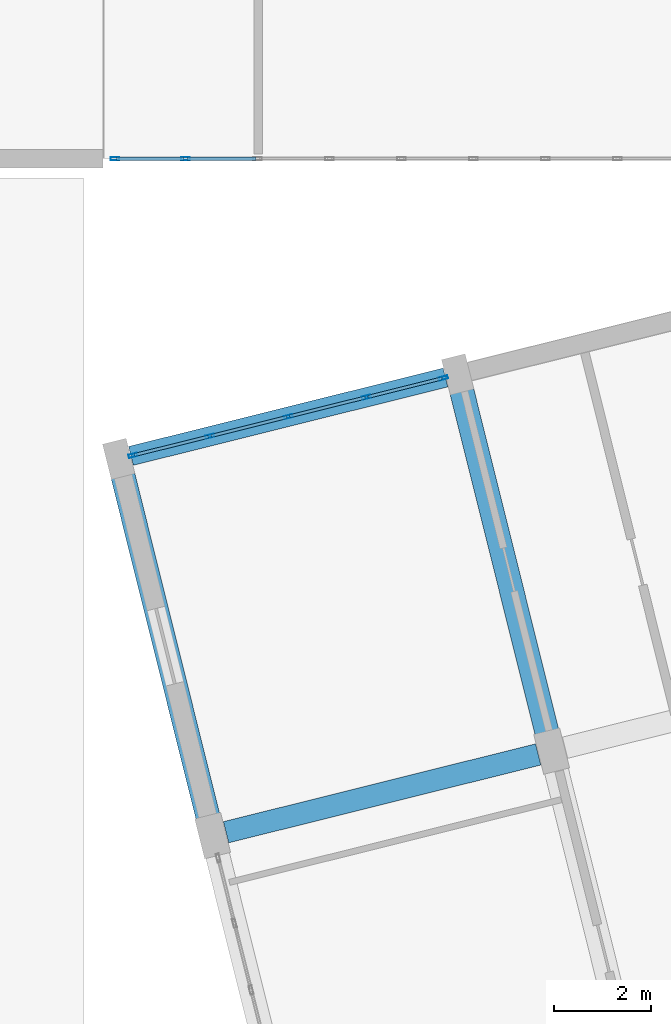
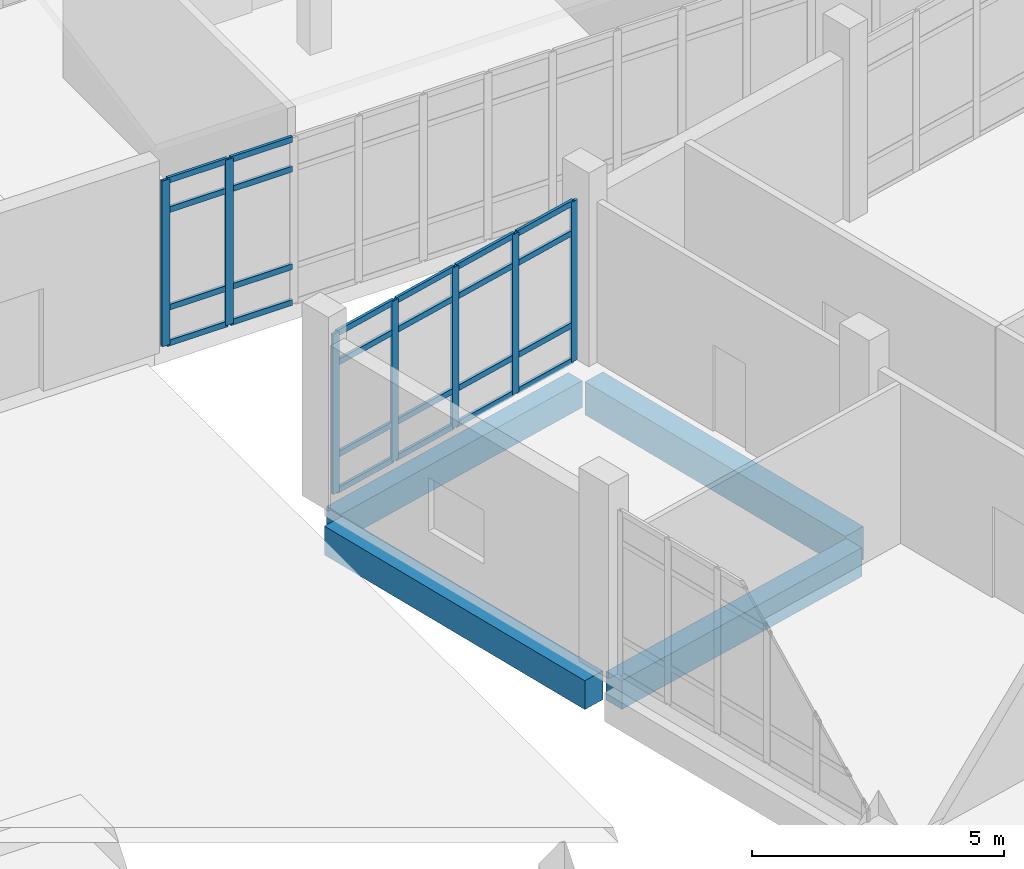
# One storey, part 52 of 173: 31 members, 4 beams, 2 elements without a shape of their own.
"""IFC4 building model written with IfcOpenShell, lengths in metres."""

from ifc_helpers import new_model, si_unit, direction, frame, origin, origin_2d, place, context, subcontext, project, spatial, rectangle, hollow_rectangle, extrude, material, layer, layer_set, material_profile, profile_set, type_object, element, aggregate, save


model = new_model("IFC4")

# Units and contexts
model_context = context("Model", 3, precision=1e-05, world=origin(), true_north=direction((0.0, 1.0)))
body_context = subcontext(model_context, "Body", "Model", "MODEL_VIEW")
ifc_project = project(units=[si_unit("LENGTHUNIT", "METRE"), si_unit("AREAUNIT", "SQUARE_METRE"), si_unit("VOLUMEUNIT", "CUBIC_METRE"), si_unit("PLANEANGLEUNIT", "RADIAN"), si_unit("MASSUNIT", "GRAM", prefix="KILO")], contexts=[model_context])

# Site, building, storey
site_placement = place(None, origin())
site = spatial("IfcSite", under=ifc_project, at=site_placement, CompositionType="ELEMENT")
building_placement = place(site_placement, origin())
building = spatial("IfcBuilding", under=site, at=building_placement, Name="Mawjan Specialist Oncology Clinic", CompositionType="ELEMENT")
storey_placement = place(building_placement, origin())
storey = spatial("IfcBuildingStorey", under=building, at=storey_placement, Name="L00", CompositionType="ELEMENT", Elevation=0.0)

# Beams
ifc_material_1 = material(Name="Concrete C40/50", Category="concrete")
ifc_material_profile_1 = material_profile(ifc_material_1, rectangle(XDim=0.449951171875, YDim=0.699951171875, at=origin_2d()), Name="RC BM 450x700", Category="concrete")
ifc_profile_set_1 = profile_set([ifc_material_profile_1], Name="Concrete C40/50")
beam_type_1 = type_object("IfcBeamType", Name="BM-450x700", PredefinedType="BEAM", material=ifc_profile_set_1)
beam_1_placement = place(storey_placement, frame((118.534912109375, 31.91845703125, -0.77001953125), z_axis=(0.970293935913, 0.241929076241, 0.0), x_axis=(-0.241929076241, 0.970293935913, 0.0)))
element("IfcBeam", 1, at=beam_1_placement, inside=storey, type_object=beam_type_1, Name="L00 Collector Beam BM-L00-0211", PredefinedType="BEAM", context=body_context, shape_type="SweptSolid", body=[
    extrude(rectangle(XDim=0.449951171875, YDim=0.699951171875, at=origin_2d()), origin(), (0.0, 0.0, 1.0), 6.630126953125),
])
ifc_material_2 = material(Name="Concrete C45/55", Category="concrete")
ifc_material_profile_2 = material_profile(ifc_material_2, rectangle(XDim=0.5, YDim=0.800048828125, at=origin_2d()), Name="RC BM 500x800", Category="concrete")
ifc_profile_set_2 = profile_set([ifc_material_profile_2], Name="Concrete C45/55")
beam_type_2 = type_object("IfcBeamType", Name="BM-500x800", PredefinedType="BEAM", material=ifc_profile_set_2)
beam_2_placement = place(storey_placement, frame((125.17578125, 33.867919921875, -0.820068359375), z_axis=(-0.24194995085, 0.970288730886, 0.0), x_axis=(-0.970288730886, -0.24194995085, 0.0)))
element("IfcBeam", 2, at=beam_2_placement, inside=storey, type_object=beam_type_2, Name="L00 Collector Beam BM-L00-0220", PredefinedType="BEAM", context=body_context, shape_type="SweptSolid", body=[
    extrude(rectangle(XDim=0.5, YDim=0.800048828125, at=origin_2d()), origin(), (0.0, 0.0, 1.0), 7.454833984375),
])

# Curtain wall, members
ifc_material_3 = material(Name="Unitised spectrally selective aluminium curtain wall", Category="aluminium")
ifc_layer_1 = layer(ifc_material_3, 0.179931640625, Name="Unitised spectrally selective aluminium curtain wall", Category="aluminium")
ifc_layer_set_1 = layer_set([ifc_layer_1], Name="Unitised spectrally selective aluminium curtain wall")
curtain_wall_type_1 = type_object("IfcCurtainWallType", Name="CW-20", PredefinedType="NOTDEFINED", material=ifc_layer_set_1)
curtain_wall_1_placement = place(storey_placement, origin())
curtain_wall_1 = element("IfcCurtainWall", 3, at=curtain_wall_1_placement, inside=storey, type_object=curtain_wall_type_1, Name="L00 Unitised Curtain Wall CW-L00-036", PredefinedType="NOTDEFINED")
ifc_material_4 = material(Name="Thermally broken aluminium 6063-T6", Category="aluminium")
ifc_material_profile_3 = material_profile(ifc_material_4, hollow_rectangle(XDim=0.06494140625, YDim=0.179931640625, WallThickness=0.00390625, at=origin_2d()), Name="ALU MULLION 180x65x4", Category="aluminium")
ifc_profile_set_3 = profile_set([ifc_material_profile_3], Name="Thermally broken aluminium 6063-T6")
member_type_1 = type_object("IfcMemberType", Name="CW-M180", PredefinedType="MULLION", material=ifc_profile_set_3)
member_1_placement = place(storey_placement, frame((117.69921875, 45.800048828125, 0.0), z_axis=(0.0, 0.0, 1.0), x_axis=(0.0, -1.0, 0.0)))
member_1 = element("IfcMember", 4, at=member_1_placement, type_object=member_type_1, Name="CW-20 mullion 15", PredefinedType="MULLION", context=body_context, shape_type="SweptSolid", body=[
    extrude(hollow_rectangle(XDim=0.06494140625, YDim=0.179931640625, WallThickness=0.00390625, at=origin_2d()), origin(), (0.0, 0.0, 1.0), 4.01953125),
])
member_2_placement = place(storey_placement, frame((116.24755859375, 45.800048828125, 0.0), z_axis=(0.0, 0.0, 1.0), x_axis=(0.0, -1.0, 0.0)))
member_2 = element("IfcMember", 5, at=member_2_placement, type_object=member_type_1, Name="CW-20 mullion 16", PredefinedType="MULLION", context=body_context, shape_type="SweptSolid", body=[
    extrude(hollow_rectangle(XDim=0.06494140625, YDim=0.179931640625, WallThickness=0.00390625, at=origin_2d()), origin(), (0.0, 0.0, 1.0), 4.01953125),
])

ifc_material_5 = material(Name="Unitised spectrally selective aluminium curtain wall", Category="aluminium")
ifc_layer_2 = layer(ifc_material_5, 0.179931640625, Name="Unitised spectrally selective aluminium curtain wall", Category="aluminium")
ifc_layer_set_2 = layer_set([ifc_layer_2], Name="Unitised spectrally selective aluminium curtain wall")
curtain_wall_type_2 = type_object("IfcCurtainWallType", Name="CW-40", PredefinedType="NOTDEFINED", material=ifc_layer_set_2)
curtain_wall_2_placement = place(storey_placement, origin())
curtain_wall_2 = element("IfcCurtainWall", 6, at=curtain_wall_2_placement, inside=storey, type_object=curtain_wall_type_2, Name="L00 Unitised Curtain Wall CW-L00-081", PredefinedType="NOTDEFINED")
member_3_placement = place(storey_placement, frame((116.61669921875, 39.68505859375, 0.0), z_axis=(0.0, 0.0, 1.0), x_axis=(-0.241922080664, 0.970295680134, 0.0)))
member_3 = element("IfcMember", 7, at=member_3_placement, type_object=member_type_1, Name="CW-40 mullion 1", PredefinedType="MULLION", context=body_context, shape_type="SweptSolid", body=[
    extrude(hollow_rectangle(XDim=0.06494140625, YDim=0.179931640625, WallThickness=0.00390625, at=origin_2d()), origin(), (0.0, 0.0, 1.0), 3.885009765625),
])
member_4_placement = place(storey_placement, frame((118.20068359375, 40.079833984375, 0.0), z_axis=(0.0, 0.0, 1.0), x_axis=(-0.241922080664, 0.970295680134, 0.0)))
member_4 = element("IfcMember", 8, at=member_4_placement, type_object=member_type_1, Name="CW-40 mullion 2", PredefinedType="MULLION", context=body_context, shape_type="SweptSolid", body=[
    extrude(hollow_rectangle(XDim=0.06494140625, YDim=0.179931640625, WallThickness=0.00390625, at=origin_2d()), origin(), (0.0, 0.0, 1.0), 3.885009765625),
])
member_5_placement = place(storey_placement, frame((119.816162109375, 40.482666015625, 0.0), z_axis=(0.0, 0.0, 1.0), x_axis=(-0.241922080664, 0.970295680134, 0.0)))
member_5 = element("IfcMember", 9, at=member_5_placement, type_object=member_type_1, Name="CW-40 mullion 3", PredefinedType="MULLION", context=body_context, shape_type="SweptSolid", body=[
    extrude(hollow_rectangle(XDim=0.06494140625, YDim=0.179931640625, WallThickness=0.00390625, at=origin_2d()), origin(), (0.0, 0.0, 1.0), 3.885009765625),
])
member_6_placement = place(storey_placement, frame((121.431640625, 40.885498046875, 0.0), z_axis=(0.0, 0.0, 1.0), x_axis=(-0.241922080664, 0.970295680134, 0.0)))
member_6 = element("IfcMember", 10, at=member_6_placement, type_object=member_type_1, Name="CW-40 mullion 4", PredefinedType="MULLION", context=body_context, shape_type="SweptSolid", body=[
    extrude(hollow_rectangle(XDim=0.06494140625, YDim=0.179931640625, WallThickness=0.00390625, at=origin_2d()), origin(), (0.0, 0.0, 1.0), 3.885009765625),
])
member_7_placement = place(storey_placement, frame((123.015625, 41.280517578125, 0.0), z_axis=(0.0, 0.0, 1.0), x_axis=(-0.241922080664, 0.970295680134, 0.0)))
member_7 = element("IfcMember", 11, at=member_7_placement, type_object=member_type_1, Name="CW-40 mullion 5", PredefinedType="MULLION", context=body_context, shape_type="SweptSolid", body=[
    extrude(hollow_rectangle(XDim=0.06494140625, YDim=0.179931640625, WallThickness=0.00390625, at=origin_2d()), origin(), (0.0, 0.0, 1.0), 3.885009765625),
])

# Member
ifc_material_6 = material(Name="Thermally broken aluminium 6063-T6", Category="aluminium")
ifc_material_profile_4 = material_profile(ifc_material_6, hollow_rectangle(XDim=0.06494140625, YDim=0.139892578125, WallThickness=0.00390625, at=origin_2d()), Name="ALU TRANSOM 140x65x4", Category="aluminium")
ifc_profile_set_4 = profile_set([ifc_material_profile_4], Name="Thermally broken aluminium 6063-T6")
member_type_2 = type_object("IfcMemberType", Name="CW-T140", PredefinedType="USERDEFINED", material=ifc_profile_set_4)
member_8_placement = place(storey_placement, frame((119.151123046875, 45.800048828125, 0.032470703125), z_axis=(-1.0, 0.0, 0.0), x_axis=(0.0, -1.0, 0.0)))
member_8 = element("IfcMember", 12, at=member_8_placement, type_object=member_type_2, Name="CW-20 transom 14.1", ObjectType="TRANSOM", PredefinedType="USERDEFINED", context=body_context, shape_type="SweptSolid", body=[
    extrude(hollow_rectangle(XDim=0.06494140625, YDim=0.139892578125, WallThickness=0.00390625, at=origin_2d()), origin(), (0.0, 0.0, 1.0), 1.419189453125),
])

member_9_placement = place(storey_placement, frame((119.151123046875, 45.800048828125, 0.89990234375), z_axis=(-1.0, 0.0, 0.0), x_axis=(0.0, -1.0, 0.0)))
member_9 = element("IfcMember", 13, at=member_9_placement, type_object=member_type_2, Name="CW-20 transom 14.2", ObjectType="TRANSOM", PredefinedType="USERDEFINED", context=body_context, shape_type="SweptSolid", body=[
    extrude(hollow_rectangle(XDim=0.06494140625, YDim=0.139892578125, WallThickness=0.00390625, at=origin_2d()), origin(), (0.0, 0.0, 1.0), 1.419189453125),
])

member_10_placement = place(storey_placement, frame((119.151123046875, 45.800048828125, 3.26953125), z_axis=(-1.0, 0.0, 0.0), x_axis=(0.0, -1.0, 0.0)))
member_10 = element("IfcMember", 14, at=member_10_placement, type_object=member_type_2, Name="CW-20 transom 14.3", ObjectType="TRANSOM", PredefinedType="USERDEFINED", context=body_context, shape_type="SweptSolid", body=[
    extrude(hollow_rectangle(XDim=0.06494140625, YDim=0.139892578125, WallThickness=0.00390625, at=origin_2d()), origin(), (0.0, 0.0, 1.0), 1.419189453125),
])

member_11_placement = place(storey_placement, frame((119.151123046875, 45.800048828125, 3.987060546875), z_axis=(-1.0, 0.0, 0.0), x_axis=(0.0, -1.0, 0.0)))
member_11 = element("IfcMember", 15, at=member_11_placement, type_object=member_type_2, Name="CW-20 transom 14.4", ObjectType="TRANSOM", PredefinedType="USERDEFINED", context=body_context, shape_type="SweptSolid", body=[
    extrude(hollow_rectangle(XDim=0.06494140625, YDim=0.139892578125, WallThickness=0.00390625, at=origin_2d()), origin(), (0.0, 0.0, 1.0), 1.419189453125),
])

member_12_placement = place(storey_placement, frame((117.666748046875, 45.800048828125, 0.032470703125), z_axis=(-1.0, 0.0, 0.0), x_axis=(0.0, -1.0, 0.0)))
member_12 = element("IfcMember", 16, at=member_12_placement, type_object=member_type_2, Name="CW-20 transom 15.1", ObjectType="TRANSOM", PredefinedType="USERDEFINED", context=body_context, shape_type="SweptSolid", body=[
    extrude(hollow_rectangle(XDim=0.06494140625, YDim=0.139892578125, WallThickness=0.00390625, at=origin_2d()), origin(), (0.0, 0.0, 1.0), 1.38671875),
])

member_13_placement = place(storey_placement, frame((117.666748046875, 45.800048828125, 0.89990234375), z_axis=(-1.0, 0.0, 0.0), x_axis=(0.0, -1.0, 0.0)))
member_13 = element("IfcMember", 17, at=member_13_placement, type_object=member_type_2, Name="CW-20 transom 15.2", ObjectType="TRANSOM", PredefinedType="USERDEFINED", context=body_context, shape_type="SweptSolid", body=[
    extrude(hollow_rectangle(XDim=0.06494140625, YDim=0.139892578125, WallThickness=0.00390625, at=origin_2d()), origin(), (0.0, 0.0, 1.0), 1.38671875),
])

member_14_placement = place(storey_placement, frame((117.666748046875, 45.800048828125, 3.26953125), z_axis=(-1.0, 0.0, 0.0), x_axis=(0.0, -1.0, 0.0)))
member_14 = element("IfcMember", 18, at=member_14_placement, type_object=member_type_2, Name="CW-20 transom 15.3", ObjectType="TRANSOM", PredefinedType="USERDEFINED", context=body_context, shape_type="SweptSolid", body=[
    extrude(hollow_rectangle(XDim=0.06494140625, YDim=0.139892578125, WallThickness=0.00390625, at=origin_2d()), origin(), (0.0, 0.0, 1.0), 1.38671875),
])

member_15_placement = place(storey_placement, frame((117.666748046875, 45.800048828125, 3.987060546875), z_axis=(-1.0, 0.0, 0.0), x_axis=(0.0, -1.0, 0.0)))
member_15 = element("IfcMember", 19, at=member_15_placement, type_object=member_type_2, Name="CW-20 transom 15.4", ObjectType="TRANSOM", PredefinedType="USERDEFINED", context=body_context, shape_type="SweptSolid", body=[
    extrude(hollow_rectangle(XDim=0.06494140625, YDim=0.139892578125, WallThickness=0.00390625, at=origin_2d()), origin(), (0.0, 0.0, 1.0), 1.38671875),
])

aggregate(curtain_wall_1, [member_1, member_2, member_8, member_9, member_10, member_11, member_12, member_13, member_14, member_15])

member_16_placement = place(storey_placement, frame((116.648193359375, 39.69287109375, 0.032470703125), z_axis=(0.970307185051, 0.241875932325, 0.0), x_axis=(-0.241875932325, 0.970307185051, 0.0)))
member_16 = element("IfcMember", 20, at=member_16_placement, type_object=member_type_2, Name="CW-40 transom 1.1", ObjectType="TRANSOM", PredefinedType="USERDEFINED", context=body_context, shape_type="SweptSolid", body=[
    extrude(hollow_rectangle(XDim=0.06494140625, YDim=0.139892578125, WallThickness=0.00390625, at=origin_2d()), origin(), (0.0, 0.0, 1.0), 1.567626953125),
])

member_17_placement = place(storey_placement, frame((116.648193359375, 39.69287109375, 0.89990234375), z_axis=(0.970307185051, 0.241875932325, 0.0), x_axis=(-0.241875932325, 0.970307185051, 0.0)))
member_17 = element("IfcMember", 21, at=member_17_placement, type_object=member_type_2, Name="CW-40 transom 1.2", ObjectType="TRANSOM", PredefinedType="USERDEFINED", context=body_context, shape_type="SweptSolid", body=[
    extrude(hollow_rectangle(XDim=0.06494140625, YDim=0.139892578125, WallThickness=0.00390625, at=origin_2d()), origin(), (0.0, 0.0, 1.0), 1.567626953125),
])

member_18_placement = place(storey_placement, frame((116.648193359375, 39.69287109375, 3.135009765625), z_axis=(0.970307185051, 0.241875932325, 0.0), x_axis=(-0.241875932325, 0.970307185051, 0.0)))
member_18 = element("IfcMember", 22, at=member_18_placement, type_object=member_type_2, Name="CW-40 transom 1.3", ObjectType="TRANSOM", PredefinedType="USERDEFINED", context=body_context, shape_type="SweptSolid", body=[
    extrude(hollow_rectangle(XDim=0.06494140625, YDim=0.139892578125, WallThickness=0.00390625, at=origin_2d()), origin(), (0.0, 0.0, 1.0), 1.567626953125),
])

member_19_placement = place(storey_placement, frame((116.648193359375, 39.69287109375, 3.8525390625), z_axis=(0.970307185051, 0.241875932325, 0.0), x_axis=(-0.241875932325, 0.970307185051, 0.0)))
member_19 = element("IfcMember", 23, at=member_19_placement, type_object=member_type_2, Name="CW-40 transom 1.4", ObjectType="TRANSOM", PredefinedType="USERDEFINED", context=body_context, shape_type="SweptSolid", body=[
    extrude(hollow_rectangle(XDim=0.06494140625, YDim=0.139892578125, WallThickness=0.00390625, at=origin_2d()), origin(), (0.0, 0.0, 1.0), 1.567626953125),
])

member_20_placement = place(storey_placement, frame((118.232177734375, 40.087890625, 0.032470703125), z_axis=(0.970312800845, 0.241853402947, 0.0), x_axis=(-0.241853402947, 0.970312800845, 0.0)))
member_20 = element("IfcMember", 24, at=member_20_placement, type_object=member_type_2, Name="CW-40 transom 2.1", ObjectType="TRANSOM", PredefinedType="USERDEFINED", context=body_context, shape_type="SweptSolid", body=[
    extrude(hollow_rectangle(XDim=0.06494140625, YDim=0.139892578125, WallThickness=0.00390625, at=origin_2d()), origin(), (0.0, 0.0, 1.0), 1.60009765625),
])

member_21_placement = place(storey_placement, frame((118.232177734375, 40.087890625, 0.89990234375), z_axis=(0.970312800845, 0.241853402947, 0.0), x_axis=(-0.241853402947, 0.970312800845, 0.0)))
member_21 = element("IfcMember", 25, at=member_21_placement, type_object=member_type_2, Name="CW-40 transom 2.2", ObjectType="TRANSOM", PredefinedType="USERDEFINED", context=body_context, shape_type="SweptSolid", body=[
    extrude(hollow_rectangle(XDim=0.06494140625, YDim=0.139892578125, WallThickness=0.00390625, at=origin_2d()), origin(), (0.0, 0.0, 1.0), 1.60009765625),
])

member_22_placement = place(storey_placement, frame((118.232177734375, 40.087890625, 3.135009765625), z_axis=(0.970312800845, 0.241853402947, 0.0), x_axis=(-0.241853402947, 0.970312800845, 0.0)))
member_22 = element("IfcMember", 26, at=member_22_placement, type_object=member_type_2, Name="CW-40 transom 2.3", ObjectType="TRANSOM", PredefinedType="USERDEFINED", context=body_context, shape_type="SweptSolid", body=[
    extrude(hollow_rectangle(XDim=0.06494140625, YDim=0.139892578125, WallThickness=0.00390625, at=origin_2d()), origin(), (0.0, 0.0, 1.0), 1.60009765625),
])

member_23_placement = place(storey_placement, frame((118.232177734375, 40.087890625, 3.8525390625), z_axis=(0.970312800845, 0.241853402947, 0.0), x_axis=(-0.241853402947, 0.970312800845, 0.0)))
member_23 = element("IfcMember", 27, at=member_23_placement, type_object=member_type_2, Name="CW-40 transom 2.4", ObjectType="TRANSOM", PredefinedType="USERDEFINED", context=body_context, shape_type="SweptSolid", body=[
    extrude(hollow_rectangle(XDim=0.06494140625, YDim=0.139892578125, WallThickness=0.00390625, at=origin_2d()), origin(), (0.0, 0.0, 1.0), 1.60009765625),
])

member_24_placement = place(storey_placement, frame((119.84765625, 40.49072265625, 0.032470703125), z_axis=(0.970312800845, 0.241853402947, 0.0), x_axis=(-0.241853402947, 0.970312800845, 0.0)))
member_24 = element("IfcMember", 28, at=member_24_placement, type_object=member_type_2, Name="CW-40 transom 3.1", ObjectType="TRANSOM", PredefinedType="USERDEFINED", context=body_context, shape_type="SweptSolid", body=[
    extrude(hollow_rectangle(XDim=0.06494140625, YDim=0.139892578125, WallThickness=0.00390625, at=origin_2d()), origin(), (0.0, 0.0, 1.0), 1.60009765625),
])

member_25_placement = place(storey_placement, frame((119.84765625, 40.49072265625, 0.89990234375), z_axis=(0.970312800845, 0.241853402947, 0.0), x_axis=(-0.241853402947, 0.970312800845, 0.0)))
member_25 = element("IfcMember", 29, at=member_25_placement, type_object=member_type_2, Name="CW-40 transom 3.2", ObjectType="TRANSOM", PredefinedType="USERDEFINED", context=body_context, shape_type="SweptSolid", body=[
    extrude(hollow_rectangle(XDim=0.06494140625, YDim=0.139892578125, WallThickness=0.00390625, at=origin_2d()), origin(), (0.0, 0.0, 1.0), 1.60009765625),
])

member_26_placement = place(storey_placement, frame((119.84765625, 40.49072265625, 3.135009765625), z_axis=(0.970312800845, 0.241853402947, 0.0), x_axis=(-0.241853402947, 0.970312800845, 0.0)))
member_26 = element("IfcMember", 30, at=member_26_placement, type_object=member_type_2, Name="CW-40 transom 3.3", ObjectType="TRANSOM", PredefinedType="USERDEFINED", context=body_context, shape_type="SweptSolid", body=[
    extrude(hollow_rectangle(XDim=0.06494140625, YDim=0.139892578125, WallThickness=0.00390625, at=origin_2d()), origin(), (0.0, 0.0, 1.0), 1.60009765625),
])

member_27_placement = place(storey_placement, frame((119.84765625, 40.49072265625, 3.8525390625), z_axis=(0.970312800845, 0.241853402947, 0.0), x_axis=(-0.241853402947, 0.970312800845, 0.0)))
member_27 = element("IfcMember", 31, at=member_27_placement, type_object=member_type_2, Name="CW-40 transom 3.4", ObjectType="TRANSOM", PredefinedType="USERDEFINED", context=body_context, shape_type="SweptSolid", body=[
    extrude(hollow_rectangle(XDim=0.06494140625, YDim=0.139892578125, WallThickness=0.00390625, at=origin_2d()), origin(), (0.0, 0.0, 1.0), 1.60009765625),
])

member_28_placement = place(storey_placement, frame((121.46337890625, 40.893310546875, 0.032470703125), z_axis=(0.970261497719, 0.242059137495, 0.0), x_axis=(-0.242059137495, 0.970261497719, 0.0)))
member_28 = element("IfcMember", 32, at=member_28_placement, type_object=member_type_2, Name="CW-40 transom 4.1", ObjectType="TRANSOM", PredefinedType="USERDEFINED", context=body_context, shape_type="SweptSolid", body=[
    extrude(hollow_rectangle(XDim=0.06494140625, YDim=0.139892578125, WallThickness=0.00390625, at=origin_2d()), origin(), (0.0, 0.0, 1.0), 1.5673828125),
])

member_29_placement = place(storey_placement, frame((121.46337890625, 40.893310546875, 0.89990234375), z_axis=(0.970261497719, 0.242059137495, 0.0), x_axis=(-0.242059137495, 0.970261497719, 0.0)))
member_29 = element("IfcMember", 33, at=member_29_placement, type_object=member_type_2, Name="CW-40 transom 4.2", ObjectType="TRANSOM", PredefinedType="USERDEFINED", context=body_context, shape_type="SweptSolid", body=[
    extrude(hollow_rectangle(XDim=0.06494140625, YDim=0.139892578125, WallThickness=0.00390625, at=origin_2d()), origin(), (0.0, 0.0, 1.0), 1.5673828125),
])

member_30_placement = place(storey_placement, frame((121.46337890625, 40.893310546875, 3.135009765625), z_axis=(0.970261497719, 0.242059137495, 0.0), x_axis=(-0.242059137495, 0.970261497719, 0.0)))
member_30 = element("IfcMember", 34, at=member_30_placement, type_object=member_type_2, Name="CW-40 transom 4.3", ObjectType="TRANSOM", PredefinedType="USERDEFINED", context=body_context, shape_type="SweptSolid", body=[
    extrude(hollow_rectangle(XDim=0.06494140625, YDim=0.139892578125, WallThickness=0.00390625, at=origin_2d()), origin(), (0.0, 0.0, 1.0), 1.5673828125),
])

member_31_placement = place(storey_placement, frame((121.46337890625, 40.893310546875, 3.8525390625), z_axis=(0.970261497719, 0.242059137495, 0.0), x_axis=(-0.242059137495, 0.970261497719, 0.0)))
member_31 = element("IfcMember", 35, at=member_31_placement, type_object=member_type_2, Name="CW-40 transom 4.4", ObjectType="TRANSOM", PredefinedType="USERDEFINED", context=body_context, shape_type="SweptSolid", body=[
    extrude(hollow_rectangle(XDim=0.06494140625, YDim=0.139892578125, WallThickness=0.00390625, at=origin_2d()), origin(), (0.0, 0.0, 1.0), 1.5673828125),
])

aggregate(curtain_wall_2, [member_3, member_4, member_5, member_6, member_7, member_16, member_17, member_18, member_19, member_20, member_21, member_22, member_23, member_24, member_25, member_26, member_27, member_28, member_29, member_30, member_31])

# Beams
ifc_material_7 = material(Name="Concrete C45/55", Category="concrete")
ifc_material_profile_5 = material_profile(ifc_material_7, rectangle(XDim=0.39990234375, YDim=0.64990234375, at=origin_2d()), Name="RC BM 400x650", Category="concrete")
ifc_profile_set_5 = profile_set([ifc_material_profile_5], Name="Concrete C45/55")
beam_type_3 = type_object("IfcBeamType", Name="SP-400x650", PredefinedType="SPANDREL", material=ifc_profile_set_5)
beam_3_placement = place(storey_placement, frame((116.575439453125, 39.6748046875, -0.7451171875), z_axis=(0.970297097401, 0.241916396252, 0.0), x_axis=(-0.241916396252, 0.970297097401, 0.0)))
element("IfcBeam", 36, at=beam_3_placement, inside=storey, type_object=beam_type_3, Name="L00 Spandrel Beam BM-L00-0213", PredefinedType="SPANDREL", context=body_context, shape_type="SweptSolid", body=[
    extrude(rectangle(XDim=0.39990234375, YDim=0.64990234375, at=origin_2d()), origin(), (0.0, 0.0, 1.0), 6.679931640625),
])
ifc_material_8 = material(Name="Concrete C45/55", Category="concrete")
ifc_material_profile_6 = material_profile(ifc_material_8, rectangle(XDim=0.5, YDim=0.699951171875, at=origin_2d()), Name="RC BM 500x700", Category="concrete")
ifc_profile_set_6 = profile_set([ifc_material_profile_6], Name="Concrete C45/55")
beam_type_4 = type_object("IfcBeamType", Name="SP-500x700", PredefinedType="SPANDREL", material=ifc_profile_set_6)
beam_4_placement = place(storey_placement, frame((118.189453125, 32.1259765625, -0.77001953125), z_axis=(-0.241911431445, 0.970298335223, 0.0), x_axis=(-0.970298335223, -0.241911431445, 0.0)))
element("IfcBeam", 37, at=beam_4_placement, inside=storey, type_object=beam_type_4, Name="L00 Spandrel Beam BM-L00-0218", PredefinedType="SPANDREL", context=body_context, shape_type="SweptSolid", body=[
    extrude(rectangle(XDim=0.5, YDim=0.699951171875, at=origin_2d()), origin(), (0.0, 0.0, 1.0), 7.455078125),
])

save(model, "model.ifc")
